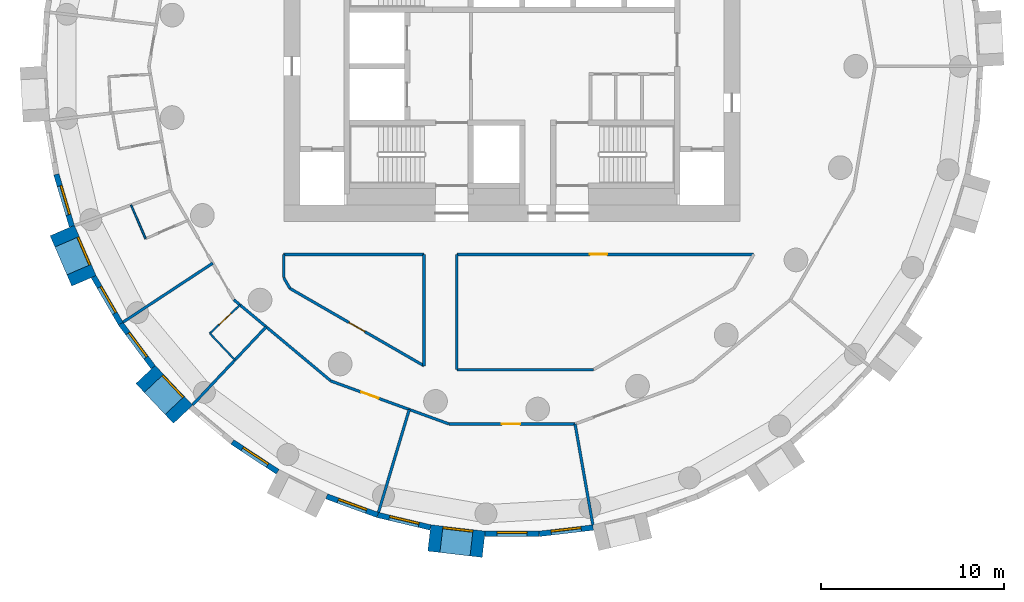
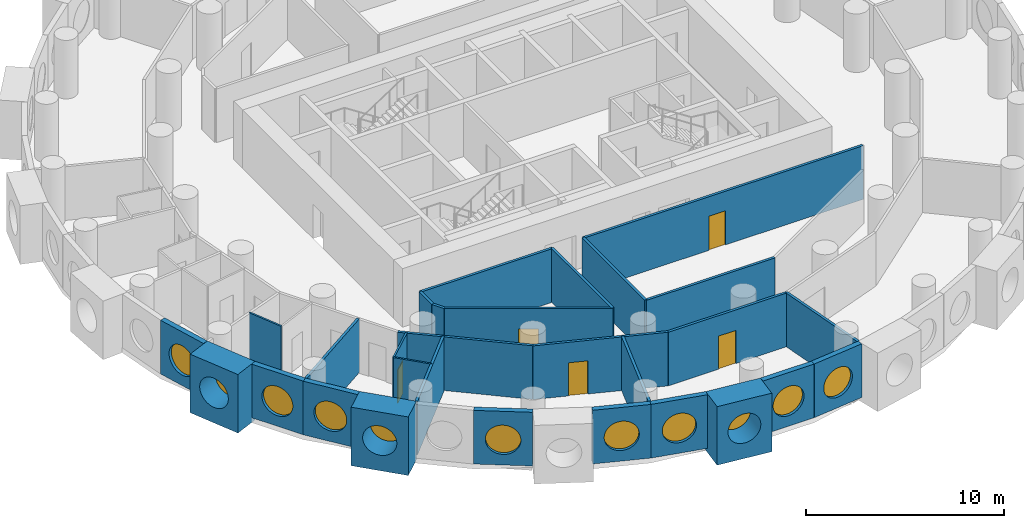
# One storey, part 2 of 9: 29 walls, 11 windows, 5 doors, 16 openings.
"""IFC4 building model written with IfcOpenShell, lengths in metres."""

from ifc_helpers import new_model, si_unit, direction, frame, frame_2d, origin, origin_2d, place, context, subcontext, project, spatial, rectangle, circle, extrude, material, layer, layer_set, type_object, element, fill, save


model = new_model("IFC4")

# Units and contexts
model_context = context("Model", 3, precision=1e-05, world=origin(), true_north=direction((0.0, 1.0)))
body_context = subcontext(model_context, "Body", "Model", "MODEL_VIEW")
ifc_project = project(units=[si_unit("LENGTHUNIT", "METRE"), si_unit("AREAUNIT", "SQUARE_METRE"), si_unit("VOLUMEUNIT", "CUBIC_METRE"), si_unit("PLANEANGLEUNIT", "RADIAN"), si_unit("MASSUNIT", "GRAM", prefix="KILO")], contexts=[model_context])

# Site, building, storey
site_placement = place(None, origin())
site = spatial("IfcSite", under=ifc_project, at=site_placement, CompositionType="ELEMENT")
building_placement = place(site_placement, origin())
building = spatial("IfcBuilding", under=site, at=building_placement, Name="Tracery Tower", CompositionType="ELEMENT")
storey_placement = place(building_placement, frame((0.0, 0.0, 201.60009765625)))
storey = spatial("IfcBuildingStorey", under=building, at=storey_placement, Name="L52", CompositionType="ELEMENT", Elevation=201.60009765625)

# Wall, opening, window
ifc_material_1 = material(Name="Precast concrete C50/60", Category="concrete")
ifc_layer_1 = layer(ifc_material_1, 1.449951171875)
ifc_layer_set_1 = layer_set([ifc_layer_1], Name="Deep-set bay unit 3000 x 3600, slab edge 300")
wall_type_1 = type_object("IfcWallType", Name="Deep-set bay unit 3000 x 3600, slab edge 300", PredefinedType="ELEMENTEDWALL", material=ifc_layer_set_1)
wall_1_placement = place(storey_placement, frame((-24.632080078125, -8.99169921875, -0.300048828125), z_axis=(0.0, 0.0, 1.0), x_axis=(0.396079003245, -0.918216435917, 0.0)))
wall_1 = element("IfcWall", 1, at=wall_1_placement, inside=storey, type_object=wall_type_1, Name="Deep-set bay unit 31 at L52", PredefinedType="ELEMENTEDWALL", context=body_context, shape_type="SweptSolid", body=[
    extrude(rectangle(XDim=3.0, YDim=1.449951171875, at=frame_2d((1.5, 0.0))), origin(), (0.0, 0.0, 1.0), 3.599853515625),
])
opening_1_placement = place(wall_1_placement, frame((1.5, 0.0, 1.85009765625)))
opening_1 = element("IfcOpeningElement", 2, at=opening_1_placement, cuts=wall_1, Name="Opening WN1", PredefinedType="OPENING", context=body_context, shape_type="SweptSolid", body=[
    extrude(circle(Radius=0.9000244140625, at=origin_2d()), frame((0.0, 0.73486328125, 0.0), z_axis=(0.0, -1.0, 0.0), x_axis=(1.0, 0.0, 0.0)), (0.0, 0.0, 1.0), 1.469970703125),
])
ifc_material_2 = material(Name="Aluminium frame with tinted double glazing", Category="aluminium")
window_type = type_object("IfcWindowType", Name="Round window 1800", PartitioningType="SINGLE_PANEL", PredefinedType="WINDOW", material=ifc_material_2)
window_1_placement = place(opening_1_placement, origin())
window_1 = element("IfcWindow", 3, at=window_1_placement, inside=storey, type_object=window_type, Name="Round window 31 at L52", OverallHeight=1.800048828125, OverallWidth=1.800048828125, PartitioningType="SINGLE_PANEL", PredefinedType="WINDOW", context=body_context, shape_type="SweptSolid", body=[
    extrude(circle(Radius=0.9000244140625, at=origin_2d()), frame((0.0, 0.69482421875, 0.0), z_axis=(0.0, -1.0, 0.0), x_axis=(1.0, 0.0, 0.0)), (0.0, 0.0, 1.0), 0.10009765625),
])
fill(opening_1, window_1)

wall_2_placement = place(storey_placement, frame((-20.0712890625, -16.8740234375, -0.300048828125), z_axis=(0.0, 0.0, 1.0), x_axis=(0.686217177108, -0.727396718334, 0.0)))
wall_2 = element("IfcWall", 4, at=wall_2_placement, inside=storey, type_object=wall_type_1, Name="Deep-set bay unit 34 at L52", PredefinedType="ELEMENTEDWALL", context=body_context, shape_type="SweptSolid", body=[
    extrude(rectangle(XDim=3.0, YDim=1.449951171875, at=frame_2d((1.5, 0.0))), origin(), (0.0, 0.0, 1.0), 3.599853515625),
])
opening_2_placement = place(wall_2_placement, frame((1.5, 0.0, 1.85009765625)))
opening_2 = element("IfcOpeningElement", 5, at=opening_2_placement, cuts=wall_2, Name="Opening WN1", PredefinedType="OPENING", context=body_context, shape_type="SweptSolid", body=[
    extrude(circle(Radius=0.9000244140625, at=origin_2d()), frame((0.0, 0.73486328125, 0.0), z_axis=(0.0, -1.0, 0.0), x_axis=(1.0, 0.0, 0.0)), (0.0, 0.0, 1.0), 1.469970703125),
])
window_2_placement = place(opening_2_placement, origin())
window_2 = element("IfcWindow", 6, at=window_2_placement, inside=storey, type_object=window_type, Name="Round window 34 at L52", OverallHeight=1.800048828125, OverallWidth=1.800048828125, PartitioningType="SINGLE_PANEL", PredefinedType="WINDOW", context=body_context, shape_type="SweptSolid", body=[
    extrude(circle(Radius=0.9000244140625, at=origin_2d()), frame((0.0, 0.69482421875, 0.0), z_axis=(0.0, -1.0, 0.0), x_axis=(1.0, 0.0, 0.0)), (0.0, 0.0, 1.0), 0.10009765625),
])
fill(opening_2, window_2)

wall_3_placement = place(storey_placement, frame((-4.529052734375, -25.827880859375, -0.300048828125), z_axis=(0.0, 0.0, 1.0), x_axis=(0.9932342274, -0.116128246006, 0.0)))
wall_3 = element("IfcWall", 7, at=wall_3_placement, inside=storey, type_object=wall_type_1, Name="Deep-set bay unit 40 at L52", PredefinedType="ELEMENTEDWALL", context=body_context, shape_type="SweptSolid", body=[
    extrude(rectangle(XDim=3.0, YDim=1.449951171875, at=frame_2d((1.5, 0.0))), origin(), (0.0, 0.0, 1.0), 3.599853515625),
])
opening_3_placement = place(wall_3_placement, frame((1.5, 0.0, 1.85009765625)))
opening_3 = element("IfcOpeningElement", 8, at=opening_3_placement, cuts=wall_3, Name="Opening WN1", PredefinedType="OPENING", context=body_context, shape_type="SweptSolid", body=[
    extrude(circle(Radius=0.9000244140625, at=origin_2d()), frame((0.0, 0.73486328125, 0.0), z_axis=(0.0, -1.0, 0.0), x_axis=(1.0, 0.0, 0.0)), (0.0, 0.0, 1.0), 1.469970703125),
])
window_3_placement = place(opening_3_placement, origin())
window_3 = element("IfcWindow", 9, at=window_3_placement, inside=storey, type_object=window_type, Name="Round window 40 at L52", OverallHeight=1.800048828125, OverallWidth=1.800048828125, PartitioningType="SINGLE_PANEL", PredefinedType="WINDOW", context=body_context, shape_type="SweptSolid", body=[
    extrude(circle(Radius=0.9000244140625, at=origin_2d()), frame((0.0, 0.69482421875, 0.0), z_axis=(0.0, -1.0, 0.0), x_axis=(1.0, 0.0, 0.0)), (0.0, 0.0, 1.0), 0.10009765625),
])
fill(opening_3, window_3)

ifc_material_3 = material(Name="Precast concrete C50/60", Category="concrete")
ifc_layer_2 = layer(ifc_material_3, 0.300048828125)
ifc_layer_set_2 = layer_set([ifc_layer_2], Name="Facade panel 3000 x 3300")
wall_type_2 = type_object("IfcWallType", Name="Facade panel 3000 x 3300", PredefinedType="SOLIDWALL", material=ifc_layer_set_2)
wall_4_placement = place(storey_placement, frame((-24.9560546875, -5.914794921875, 0.0), z_axis=(0.0, 0.0, 1.0), x_axis=(0.286782750849, -0.957995643944, 0.0)))
wall_4 = element("IfcWall", 10, at=wall_4_placement, inside=storey, type_object=wall_type_2, Name="Facade panel 30 at L52", PredefinedType="SOLIDWALL", context=body_context, shape_type="SweptSolid", body=[
    extrude(rectangle(XDim=2.97265625, YDim=0.300048828125, at=frame_2d((1.486328125, 0.0))), origin(), (0.0, 0.0, 1.0), 3.2998046875),
])
opening_4_placement = place(wall_4_placement, frame((1.486328125, 0.0, 1.5498046875)))
opening_4 = element("IfcOpeningElement", 11, at=opening_4_placement, cuts=wall_4, Name="Opening WN1", PredefinedType="OPENING", context=body_context, shape_type="SweptSolid", body=[
    extrude(circle(Radius=0.9000244140625, at=origin_2d()), frame((0.0, 0.159912109375, 0.0), z_axis=(0.0, -1.0, 0.0), x_axis=(1.0, 0.0, 0.0)), (0.0, 0.0, 1.0), 0.320068359375),
])
window_4_placement = place(opening_4_placement, origin())
window_4 = element("IfcWindow", 12, at=window_4_placement, inside=storey, type_object=window_type, Name="Round window 30 at L52", OverallHeight=1.800048828125, OverallWidth=1.800048828125, PartitioningType="SINGLE_PANEL", PredefinedType="WINDOW", context=body_context, shape_type="SweptSolid", body=[
    extrude(circle(Radius=0.9000244140625, at=origin_2d()), frame((0.0, 0.1201171875, 0.0), z_axis=(0.0, -1.0, 0.0), x_axis=(1.0, 0.0, 0.0)), (0.0, 0.0, 1.0), 0.10009765625),
])
fill(opening_4, window_4)

wall_5_placement = place(storey_placement, frame((-22.91455078125, -11.518798828125, 0.0), z_axis=(0.0, 0.0, 1.0), x_axis=(0.499954672104, -0.866051572276, 0.0)))
wall_5 = element("IfcWall", 13, at=wall_5_placement, inside=storey, type_object=wall_type_2, Name="Facade panel 32 at L52", PredefinedType="SOLIDWALL", context=body_context, shape_type="SweptSolid", body=[
    extrude(rectangle(XDim=2.972900390625, YDim=0.300048828125, at=frame_2d((1.486328125, 0.0))), origin(), (0.0, 0.0, 1.0), 3.2998046875),
])
opening_5_placement = place(wall_5_placement, frame((1.486328125, 0.0, 1.5498046875)))
opening_5 = element("IfcOpeningElement", 14, at=opening_5_placement, cuts=wall_5, Name="Opening WN1", PredefinedType="OPENING", context=body_context, shape_type="SweptSolid", body=[
    extrude(circle(Radius=0.9000244140625, at=origin_2d()), frame((0.0, 0.159912109375, 0.0), z_axis=(0.0, -1.0, 0.0), x_axis=(1.0, 0.0, 0.0)), (0.0, 0.0, 1.0), 0.320068359375),
])
window_5_placement = place(opening_5_placement, origin())
window_5 = element("IfcWindow", 15, at=window_5_placement, inside=storey, type_object=window_type, Name="Round window 32 at L52", OverallHeight=1.800048828125, OverallWidth=1.800048828125, PartitioningType="SINGLE_PANEL", PredefinedType="WINDOW", context=body_context, shape_type="SweptSolid", body=[
    extrude(circle(Radius=0.9000244140625, at=origin_2d()), frame((0.0, 0.1201171875, 0.0), z_axis=(0.0, -1.0, 0.0), x_axis=(1.0, 0.0, 0.0)), (0.0, 0.0, 1.0), 0.10009765625),
])
fill(opening_5, window_5)

wall_6_placement = place(storey_placement, frame((-21.42822265625, -14.093505859375, 0.0), z_axis=(0.0, 0.0, 1.0), x_axis=(0.597197580538, -0.80209416517, 0.0)))
wall_6 = element("IfcWall", 16, at=wall_6_placement, inside=storey, type_object=wall_type_2, Name="Facade panel 33 at L52", PredefinedType="SOLIDWALL", context=body_context, shape_type="SweptSolid", body=[
    extrude(rectangle(XDim=2.972900390625, YDim=0.300048828125, at=frame_2d((1.486328125, 0.0))), origin(), (0.0, 0.0, 1.0), 3.2998046875),
])
opening_6_placement = place(wall_6_placement, frame((1.486328125, 0.0, 1.5498046875)))
opening_6 = element("IfcOpeningElement", 17, at=opening_6_placement, cuts=wall_6, Name="Opening WN1", PredefinedType="OPENING", context=body_context, shape_type="SweptSolid", body=[
    extrude(circle(Radius=0.9000244140625, at=origin_2d()), frame((0.0, 0.159912109375, 0.0), z_axis=(0.0, -1.0, 0.0), x_axis=(1.0, 0.0, 0.0)), (0.0, 0.0, 1.0), 0.320068359375),
])
window_6_placement = place(opening_6_placement, origin())
window_6 = element("IfcWindow", 18, at=window_6_placement, inside=storey, type_object=window_type, Name="Round window 33 at L52", OverallHeight=1.800048828125, OverallWidth=1.800048828125, PartitioningType="SINGLE_PANEL", PredefinedType="WINDOW", context=body_context, shape_type="SweptSolid", body=[
    extrude(circle(Radius=0.9000244140625, at=origin_2d()), frame((0.0, 0.1201171875, 0.0), z_axis=(0.0, -1.0, 0.0), x_axis=(1.0, 0.0, 0.0)), (0.0, 0.0, 1.0), 0.10009765625),
])
fill(opening_6, window_6)

wall_7_placement = place(storey_placement, frame((-15.315673828125, -20.572509765625, 0.0), z_axis=(0.0, 0.0, 1.0), x_axis=(0.835508361394, -0.54947773207, 0.0)))
wall_7 = element("IfcWall", 19, at=wall_7_placement, inside=storey, type_object=wall_type_2, Name="Facade panel 36 at L52", PredefinedType="SOLIDWALL", context=body_context, shape_type="SweptSolid", body=[
    extrude(rectangle(XDim=2.972900390625, YDim=0.300048828125, at=frame_2d((1.486328125, 0.0))), origin(), (0.0, 0.0, 1.0), 3.2998046875),
])
opening_7_placement = place(wall_7_placement, frame((1.486328125, 0.0, 1.5498046875)))
opening_7 = element("IfcOpeningElement", 20, at=opening_7_placement, cuts=wall_7, Name="Opening WN1", PredefinedType="OPENING", context=body_context, shape_type="SweptSolid", body=[
    extrude(circle(Radius=0.9000244140625, at=origin_2d()), frame((0.0, 0.159912109375, 0.0), z_axis=(0.0, -1.0, 0.0), x_axis=(1.0, 0.0, 0.0)), (0.0, 0.0, 1.0), 0.320068359375),
])
window_7_placement = place(opening_7_placement, origin())
window_7 = element("IfcWindow", 21, at=window_7_placement, inside=storey, type_object=window_type, Name="Round window 36 at L52", OverallHeight=1.800048828125, OverallWidth=1.800048828125, PartitioningType="SINGLE_PANEL", PredefinedType="WINDOW", context=body_context, shape_type="SweptSolid", body=[
    extrude(circle(Radius=0.9000244140625, at=origin_2d()), frame((0.0, 0.1201171875, 0.0), z_axis=(0.0, -1.0, 0.0), x_axis=(1.0, 0.0, 0.0)), (0.0, 0.0, 1.0), 0.10009765625),
])
fill(opening_7, window_7)

wall_8_placement = place(storey_placement, frame((-10.1494140625, -23.55322265625, 0.0), z_axis=(0.0, 0.0, 1.0), x_axis=(0.939690282133, -0.342026568652, 0.0)))
wall_8 = element("IfcWall", 22, at=wall_8_placement, inside=storey, type_object=wall_type_2, Name="Facade panel 38 at L52", PredefinedType="SOLIDWALL", context=body_context, shape_type="SweptSolid", body=[
    extrude(rectangle(XDim=2.972900390625, YDim=0.300048828125, at=frame_2d((1.486328125, 0.0))), origin(), (0.0, 0.0, 1.0), 3.2998046875),
])
opening_8_placement = place(wall_8_placement, frame((1.486328125, 0.0, 1.5498046875)))
opening_8 = element("IfcOpeningElement", 23, at=opening_8_placement, cuts=wall_8, Name="Opening WN1", PredefinedType="OPENING", context=body_context, shape_type="SweptSolid", body=[
    extrude(circle(Radius=0.9000244140625, at=origin_2d()), frame((0.0, 0.159912109375, 0.0), z_axis=(0.0, -1.0, 0.0), x_axis=(1.0, 0.0, 0.0)), (0.0, 0.0, 1.0), 0.320068359375),
])
window_8_placement = place(opening_8_placement, origin())
window_8 = element("IfcWindow", 24, at=window_8_placement, inside=storey, type_object=window_type, Name="Round window 38 at L52", OverallHeight=1.800048828125, OverallWidth=1.800048828125, PartitioningType="SINGLE_PANEL", PredefinedType="WINDOW", context=body_context, shape_type="SweptSolid", body=[
    extrude(circle(Radius=0.9000244140625, at=origin_2d()), frame((0.0, 0.1201171875, 0.0), z_axis=(0.0, -1.0, 0.0), x_axis=(1.0, 0.0, 0.0)), (0.0, 0.0, 1.0), 0.10009765625),
])
fill(opening_8, window_8)

wall_9_placement = place(storey_placement, frame((-7.355712890625, -24.570068359375, 0.0), z_axis=(0.0, 0.0, 1.0), x_axis=(0.973045378923, -0.230613725862, 0.0)))
wall_9 = element("IfcWall", 25, at=wall_9_placement, inside=storey, type_object=wall_type_2, Name="Facade panel 39 at L52", PredefinedType="SOLIDWALL", context=body_context, shape_type="SweptSolid", body=[
    extrude(rectangle(XDim=2.97265625, YDim=0.300048828125, at=frame_2d((1.486328125, 0.0))), origin(), (0.0, 0.0, 1.0), 3.2998046875),
])
opening_9_placement = place(wall_9_placement, frame((1.486328125, 0.0, 1.5498046875)))
opening_9 = element("IfcOpeningElement", 26, at=opening_9_placement, cuts=wall_9, Name="Opening WN1", PredefinedType="OPENING", context=body_context, shape_type="SweptSolid", body=[
    extrude(circle(Radius=0.9000244140625, at=origin_2d()), frame((0.0, 0.159912109375, 0.0), z_axis=(0.0, -1.0, 0.0), x_axis=(1.0, 0.0, 0.0)), (0.0, 0.0, 1.0), 0.320068359375),
])
window_9_placement = place(opening_9_placement, origin())
window_9 = element("IfcWindow", 27, at=window_9_placement, inside=storey, type_object=window_type, Name="Round window 39 at L52", OverallHeight=1.800048828125, OverallWidth=1.800048828125, PartitioningType="SINGLE_PANEL", PredefinedType="WINDOW", context=body_context, shape_type="SweptSolid", body=[
    extrude(circle(Radius=0.9000244140625, at=origin_2d()), frame((0.0, 0.1201171875, 0.0), z_axis=(0.0, -1.0, 0.0), x_axis=(1.0, 0.0, 0.0)), (0.0, 0.0, 1.0), 0.10009765625),
])
fill(opening_9, window_9)

wall_10_placement = place(storey_placement, frame((-1.481689453125, -25.60400390625, 0.0), z_axis=(0.0, 0.0, 1.0), x_axis=(1.0, 0.0, 0.0)))
wall_10 = element("IfcWall", 28, at=wall_10_placement, inside=storey, type_object=wall_type_2, Name="Facade panel 41 at L52", PredefinedType="SOLIDWALL", context=body_context, shape_type="SweptSolid", body=[
    extrude(rectangle(XDim=2.972900390625, YDim=0.300048828125, at=frame_2d((1.486328125, 0.0))), origin(), (0.0, 0.0, 1.0), 3.2998046875),
])
opening_10_placement = place(wall_10_placement, frame((1.486328125, 0.0, 1.5498046875)))
opening_10 = element("IfcOpeningElement", 29, at=opening_10_placement, cuts=wall_10, Name="Opening WN1", PredefinedType="OPENING", context=body_context, shape_type="SweptSolid", body=[
    extrude(circle(Radius=0.9000244140625, at=origin_2d()), frame((0.0, 0.159912109375, 0.0), z_axis=(0.0, -1.0, 0.0), x_axis=(1.0, 0.0, 0.0)), (0.0, 0.0, 1.0), 0.320068359375),
])
window_10_placement = place(opening_10_placement, origin())
window_10 = element("IfcWindow", 30, at=window_10_placement, inside=storey, type_object=window_type, Name="Round window 41 at L52", OverallHeight=1.800048828125, OverallWidth=1.800048828125, PartitioningType="SINGLE_PANEL", PredefinedType="WINDOW", context=body_context, shape_type="SweptSolid", body=[
    extrude(circle(Radius=0.9000244140625, at=origin_2d()), frame((0.0, 0.1201171875, 0.0), z_axis=(0.0, -1.0, 0.0), x_axis=(1.0, 0.0, 0.0)), (0.0, 0.0, 1.0), 0.10009765625),
])
fill(opening_10, window_10)

wall_11_placement = place(storey_placement, frame((1.4912109375, -25.60400390625, 0.0), z_axis=(0.0, 0.0, 1.0), x_axis=(0.993245010522, 0.1160359818, 0.0)))
wall_11 = element("IfcWall", 31, at=wall_11_placement, inside=storey, type_object=wall_type_2, Name="Facade panel 42 at L52", PredefinedType="SOLIDWALL", context=body_context, shape_type="SweptSolid", body=[
    extrude(rectangle(XDim=2.972900390625, YDim=0.300048828125, at=frame_2d((1.486328125, 0.0))), origin(), (0.0, 0.0, 1.0), 3.2998046875),
])
opening_11_placement = place(wall_11_placement, frame((1.486328125, 0.0, 1.5498046875)))
opening_11 = element("IfcOpeningElement", 32, at=opening_11_placement, cuts=wall_11, Name="Opening WN1", PredefinedType="OPENING", context=body_context, shape_type="SweptSolid", body=[
    extrude(circle(Radius=0.9000244140625, at=origin_2d()), frame((0.0, 0.159912109375, 0.0), z_axis=(0.0, -1.0, 0.0), x_axis=(1.0, 0.0, 0.0)), (0.0, 0.0, 1.0), 0.320068359375),
])
window_11_placement = place(opening_11_placement, origin())
window_11 = element("IfcWindow", 33, at=window_11_placement, inside=storey, type_object=window_type, Name="Round window 42 at L52", OverallHeight=1.800048828125, OverallWidth=1.800048828125, PartitioningType="SINGLE_PANEL", PredefinedType="WINDOW", context=body_context, shape_type="SweptSolid", body=[
    extrude(circle(Radius=0.9000244140625, at=origin_2d()), frame((0.0, 0.1201171875, 0.0), z_axis=(0.0, -1.0, 0.0), x_axis=(1.0, 0.0, 0.0)), (0.0, 0.0, 1.0), 0.10009765625),
])
fill(opening_11, window_11)

# Wall
ifc_material_4 = material(Name="Plasterboard on steel studs", Category="steel")
ifc_layer_3 = layer(ifc_material_4, 0.10009765625)
ifc_layer_set_3 = layer_set([ifc_layer_3], Name="Partition 100 wet wall")
wall_type_3 = type_object("IfcWallType", Name="Partition 100 wet wall", PredefinedType="PARTITIONING", material=ifc_layer_set_3)
wall_12_placement = place(storey_placement, frame((-20.862060546875, -7.593017578125, 0.0), z_axis=(0.0, 0.0, 1.0), x_axis=(0.395972527348, -0.918262357709, 0.0)))
element("IfcWall", 34, at=wall_12_placement, inside=storey, type_object=wall_type_3, Name="Wet wall RB8-055", PredefinedType="PARTITIONING", context=body_context, shape_type="SweptSolid", body=[
    extrude(rectangle(XDim=2.008056640625, YDim=0.10009765625, at=frame_2d((1.00390625, 0.0))), origin(), (0.0, 0.0, 1.0), 3.2998046875),
])

# Wall, opening, door
wall_13_placement = place(storey_placement, frame((-16.549072265625, -14.6259765625, 0.0), z_axis=(0.0, 0.0, 1.0), x_axis=(0.727754926423, 0.68583727448, 0.0)))
wall_13 = element("IfcWall", 35, at=wall_13_placement, inside=storey, type_object=wall_type_3, Name="Wet wall RB8-058", PredefinedType="PARTITIONING", context=body_context, shape_type="SweptSolid", body=[
    extrude(rectangle(XDim=2.271484375, YDim=0.10009765625, at=frame_2d((1.1357421875, 0.0))), origin(), (0.0, 0.0, 1.0), 3.2998046875),
])
opening_12_placement = place(wall_13_placement, frame((0.685546875, 0.0, 0.0)))
opening_12 = element("IfcOpeningElement", 36, at=opening_12_placement, cuts=wall_13, Name="Opening RB8-17", PredefinedType="OPENING", context=body_context, shape_type="SweptSolid", body=[
    extrude(rectangle(XDim=0.89990234375, YDim=2.0400390625, at=frame_2d((0.449951171875, 1.02001953125))), frame((0.0, 0.050048828125, 0.0), z_axis=(0.0, -1.0, 0.0), x_axis=(1.0, 0.0, 0.0)), (0.0, 0.0, 1.0), 0.10009765625),
])
ifc_material_5 = material(Name="Timber door leaf", Category="wood")
door_type_1 = type_object("IfcDoorType", Name="Door en-suite 900", OperationType="NOTDEFINED", PredefinedType="DOOR", material=ifc_material_5)
door_1_placement = place(opening_12_placement, origin())
door_1 = element("IfcDoor", 37, at=door_1_placement, inside=storey, type_object=door_type_1, Name="En-suite door RB8-17", OperationType="SINGLE_SWING_RIGHT", OverallHeight=2.0400390625, OverallWidth=0.89990234375, PredefinedType="DOOR", context=body_context, shape_type="SweptSolid", body=[
    extrude(rectangle(XDim=0.89990234375, YDim=2.0400390625, at=frame_2d((0.449951171875, 1.02001953125))), frame((0.0, 0.02490234375, 0.0), z_axis=(0.0, -1.0, 0.0), x_axis=(1.0, 0.0, 0.0)), (0.0, 0.0, 1.0), 0.050048828125),
])
fill(opening_12, door_1)

# Walls
wall_14_placement = place(storey_placement, frame((-16.549072265625, -14.6259765625, 0.0), z_axis=(0.0, 0.0, 1.0), x_axis=(0.686337209023, -0.727283462971, 0.0)))
element("IfcWall", 38, at=wall_14_placement, inside=storey, type_object=wall_type_3, Name="Wet wall RB8-059", PredefinedType="PARTITIONING", context=body_context, shape_type="SweptSolid", body=[
    extrude(rectangle(XDim=2.00341796875, YDim=0.10009765625, at=frame_2d((1.001708984375, 0.0))), origin(), (0.0, 0.0, 1.0), 3.2998046875),
])
ifc_material_6 = material(Name="Plasterboard on steel studs", Category="steel")
ifc_layer_4 = layer(ifc_material_6, 0.14990234375)
ifc_layer_set_4 = layer_set([ifc_layer_4], Name="Partition 150 acoustic unit wall")
wall_type_4 = type_object("IfcWallType", Name="Partition 150 acoustic unit wall", PredefinedType="PARTITIONING", material=ifc_layer_set_4)
wall_15_placement = place(storey_placement, frame((-21.302978515625, -14.010986328125, 0.0), z_axis=(0.0, 0.0, 1.0), x_axis=(0.835534987945, 0.54943724293, 0.0)))
element("IfcWall", 39, at=wall_15_placement, inside=storey, type_object=wall_type_4, Name="Unit wall RB8-057", PredefinedType="PARTITIONING", context=body_context, shape_type="SweptSolid", body=[
    extrude(rectangle(XDim=5.878662109375, YDim=0.14990234375, at=frame_2d((2.939453125, 0.0))), origin(), (0.0, 0.0, 1.0), 3.2998046875),
])
wall_16_placement = place(storey_placement, frame((-17.4970703125, -18.5458984375, 0.0), z_axis=(0.0, 0.0, 1.0), x_axis=(0.68614289064, 0.727466792111, 0.0)))
element("IfcWall", 40, at=wall_16_placement, inside=storey, type_object=wall_type_4, Name="Unit wall RB8-060", PredefinedType="PARTITIONING", context=body_context, shape_type="SweptSolid", body=[
    extrude(rectangle(XDim=5.87841796875, YDim=0.14990234375, at=frame_2d((2.939208984375, 0.0))), origin(), (0.0, 0.0, 1.0), 3.2998046875),
])
wall_17_placement = place(storey_placement, frame((-7.31298828125, -24.426025390625, 0.0), z_axis=(0.0, 0.0, 1.0), x_axis=(0.286833432865, 0.957980470464, 0.0)))
element("IfcWall", 41, at=wall_17_placement, inside=storey, type_object=wall_type_4, Name="Unit wall RB8-061", PredefinedType="PARTITIONING", context=body_context, shape_type="SweptSolid", body=[
    extrude(rectangle(XDim=5.878173828125, YDim=0.14990234375, at=frame_2d((2.93896484375, 0.0))), origin(), (0.0, 0.0, 1.0), 3.2998046875),
])
wall_18_placement = place(storey_placement, frame((3.452880859375, -19.5859375, 0.0), z_axis=(0.0, 0.0, 1.0), x_axis=(0.17382754149, -0.984776109489, 0.0)))
element("IfcWall", 42, at=wall_18_placement, inside=storey, type_object=wall_type_4, Name="Unit wall RB8-062", PredefinedType="PARTITIONING", context=body_context, shape_type="SweptSolid", body=[
    extrude(rectangle(XDim=5.609619140625, YDim=0.14990234375, at=frame_2d((2.8046875, 0.0))), origin(), (0.0, 0.0, 1.0), 3.2998046875),
])
ifc_material_7 = material(Name="Plasterboard on steel studs", Category="steel")
ifc_layer_5 = layer(ifc_material_7, 0.14990234375)
ifc_layer_set_5 = layer_set([ifc_layer_5], Name="Partition 150 corridor wall")
wall_type_5 = type_object("IfcWallType", Name="Partition 150 corridor wall", PredefinedType="PARTITIONING", material=ifc_layer_set_5)
wall_19_placement = place(storey_placement, frame((-12.50390625, -10.300048828125, 0.0), z_axis=(0.0, 0.0, 1.0), x_axis=(1.0, 0.0, 0.0)))
element("IfcWall", 43, at=wall_19_placement, inside=storey, type_object=wall_type_5, Name="Corridor wall RB8-003", PredefinedType="PARTITIONING", context=body_context, shape_type="SweptSolid", body=[
    extrude(rectangle(XDim=7.68701171875, YDim=0.14990234375, at=frame_2d((3.843505859375, 0.0))), origin(), (0.0, 0.0, 1.0), 3.2998046875),
])

# Wall, opening, door
wall_20_placement = place(storey_placement, frame((-3.02490234375, -10.300048828125, 0.0), z_axis=(0.0, 0.0, 1.0), x_axis=(1.0, 0.0, 0.0)))
wall_20 = element("IfcWall", 44, at=wall_20_placement, inside=storey, type_object=wall_type_5, Name="Corridor wall RB8-004", PredefinedType="PARTITIONING", context=body_context, shape_type="SweptSolid", body=[
    extrude(rectangle(XDim=16.261962890625, YDim=0.14990234375, at=frame_2d((8.130859375, 0.0))), origin(), (0.0, 0.0, 1.0), 3.2998046875),
])
opening_13_placement = place(wall_20_placement, frame((7.287109375, 0.0, 0.0)))
opening_13 = element("IfcOpeningElement", 45, at=opening_13_placement, cuts=wall_20, Name="Opening RB8-04", PredefinedType="OPENING", context=body_context, shape_type="SweptSolid", body=[
    extrude(rectangle(XDim=0.949951171875, YDim=2.10009765625, at=frame_2d((0.47509765625, 1.050048828125))), frame((0.0, 0.074951171875, 0.0), z_axis=(0.0, -1.0, 0.0), x_axis=(1.0, 0.0, 0.0)), (0.0, 0.0, 1.0), 0.14990234375),
])
ifc_material_8 = material(Name="Timber door leaf", Category="wood")
door_type_2 = type_object("IfcDoorType", Name="Door store 950", OperationType="NOTDEFINED", PredefinedType="DOOR", material=ifc_material_8)
door_2_placement = place(opening_13_placement, origin())
door_2 = element("IfcDoor", 46, at=door_2_placement, inside=storey, type_object=door_type_2, Name="Store door RB8-04", OperationType="SINGLE_SWING_RIGHT", OverallHeight=2.10009765625, OverallWidth=0.949951171875, PredefinedType="DOOR", context=body_context, shape_type="SweptSolid", body=[
    extrude(rectangle(XDim=0.949951171875, YDim=2.10009765625, at=frame_2d((0.47509765625, 1.050048828125))), frame((0.0, 0.02490234375, 0.0), z_axis=(0.0, -1.0, 0.0), x_axis=(1.0, 0.0, 0.0)), (0.0, 0.0, 1.0), 0.050048828125),
])
fill(opening_13, door_2)

# Walls
wall_21_placement = place(storey_placement, frame((-12.5, -11.576904296875, 0.0), z_axis=(0.0, 0.0, 1.0), x_axis=(0.0, 1.0, 0.0)))
element("IfcWall", 47, at=wall_21_placement, inside=storey, type_object=wall_type_5, Name="Corridor wall RB8-024", PredefinedType="PARTITIONING", context=body_context, shape_type="SweptSolid", body=[
    extrude(rectangle(XDim=1.27685546875, YDim=0.14990234375, at=frame_2d((0.638427734375, 0.0))), origin(), (0.0, 0.0, 1.0), 3.2998046875),
])
wall_22_placement = place(storey_placement, frame((-12.5, -11.576904296875, 0.0), z_axis=(0.0, 0.0, 1.0), x_axis=(0.500024767483, -0.866011103799, 0.0)))
element("IfcWall", 48, at=wall_22_placement, inside=storey, type_object=wall_type_5, Name="Corridor wall RB8-025", PredefinedType="PARTITIONING", context=body_context, shape_type="SweptSolid", body=[
    extrude(rectangle(XDim=0.67578125, YDim=0.14990234375, at=frame_2d((0.337890625, 0.0))), origin(), (0.0, 0.0, 1.0), 3.2998046875),
])
wall_23_placement = place(storey_placement, frame((-15.235107421875, -12.783935546875, 0.0), z_axis=(0.0, 0.0, 1.0), x_axis=(0.767110396068, -0.641515113029, 0.0)))
element("IfcWall", 49, at=wall_23_placement, inside=storey, type_object=wall_type_5, Name="Corridor wall RB8-031", PredefinedType="PARTITIONING", context=body_context, shape_type="SweptSolid", body=[
    extrude(rectangle(XDim=6.906494140625, YDim=0.14990234375, at=frame_2d((3.453125, 0.0))), origin(), (0.0, 0.0, 1.0), 3.2998046875),
])

# Wall, opening, door
wall_24_placement = place(storey_placement, frame((-12.162109375, -12.162109375, 0.0), z_axis=(0.0, 0.0, 1.0), x_axis=(0.866004766557, -0.500035743023, 0.0)))
wall_24 = element("IfcWall", 50, at=wall_24_placement, inside=storey, type_object=wall_type_5, Name="Corridor wall RB8-032", PredefinedType="PARTITIONING", context=body_context, shape_type="SweptSolid", body=[
    extrude(rectangle(XDim=8.47705078125, YDim=0.14990234375, at=frame_2d((4.238525390625, 0.0))), origin(), (0.0, 0.0, 1.0), 3.2998046875),
])
opening_14_placement = place(wall_24_placement, frame((3.738037109375, 0.0, 0.0)))
opening_14 = element("IfcOpeningElement", 51, at=opening_14_placement, cuts=wall_24, Name="Opening RB8-03", PredefinedType="OPENING", context=body_context, shape_type="SweptSolid", body=[
    extrude(rectangle(XDim=1.0, YDim=2.0400390625, at=frame_2d((0.5, 1.02001953125))), frame((0.0, 0.074951171875, 0.0), z_axis=(0.0, -1.0, 0.0), x_axis=(1.0, 0.0, 0.0)), (0.0, 0.0, 1.0), 0.14990234375),
])
ifc_material_9 = material(Name="Timber door leaf", Category="wood")
door_type_3 = type_object("IfcDoorType", Name="Door communal room 1000", OperationType="NOTDEFINED", PredefinedType="DOOR", material=ifc_material_9)
door_3_placement = place(opening_14_placement, origin())
door_3 = element("IfcDoor", 52, at=door_3_placement, inside=storey, type_object=door_type_3, Name="Communal room door RB8-03", OperationType="SINGLE_SWING_LEFT", OverallHeight=2.0400390625, OverallWidth=1.0, PredefinedType="DOOR", context=body_context, shape_type="SweptSolid", body=[
    extrude(rectangle(XDim=1.0, YDim=2.0400390625, at=frame_2d((0.5, 1.02001953125))), frame((0.0, 0.02490234375, 0.0), z_axis=(0.0, -1.0, 0.0), x_axis=(1.0, 0.0, 0.0)), (0.0, 0.0, 1.0), 0.050048828125),
])
fill(opening_14, door_3)

# Walls
wall_25_placement = place(storey_placement, frame((-4.821044921875, -16.40087890625, 0.0), z_axis=(0.0, 0.0, 1.0), x_axis=(0.0, 1.0, 0.0)))
element("IfcWall", 53, at=wall_25_placement, inside=storey, type_object=wall_type_5, Name="Corridor wall RB8-033", PredefinedType="PARTITIONING", context=body_context, shape_type="SweptSolid", body=[
    extrude(rectangle(XDim=6.100830078125, YDim=0.14990234375, at=frame_2d((3.05029296875, 0.0))), origin(), (0.0, 0.0, 1.0), 3.2998046875),
])
wall_26_placement = place(storey_placement, frame((-3.02099609375, -16.614013671875, 0.0), z_axis=(0.0, 0.0, 1.0), x_axis=(0.0, 1.0, 0.0)))
element("IfcWall", 54, at=wall_26_placement, inside=storey, type_object=wall_type_5, Name="Corridor wall RB8-034", PredefinedType="PARTITIONING", context=body_context, shape_type="SweptSolid", body=[
    extrude(rectangle(XDim=6.31396484375, YDim=0.14990234375, at=frame_2d((3.156982421875, 0.0))), origin(), (0.0, 0.0, 1.0), 3.2998046875),
])
wall_27_placement = place(storey_placement, frame((-3.02099609375, -16.614013671875, 0.0), z_axis=(0.0, 0.0, 1.0), x_axis=(1.0, 0.0, 0.0)))
element("IfcWall", 55, at=wall_27_placement, inside=storey, type_object=wall_type_5, Name="Corridor wall RB8-035", PredefinedType="PARTITIONING", context=body_context, shape_type="SweptSolid", body=[
    extrude(rectangle(XDim=7.472900390625, YDim=0.14990234375, at=frame_2d((3.736328125, 0.0))), origin(), (0.0, 0.0, 1.0), 3.2998046875),
])

# Wall, opening, door
wall_28_placement = place(storey_placement, frame((-9.944091796875, -17.222900390625, 0.0), z_axis=(0.0, 0.0, 1.0), x_axis=(0.939672634566, -0.342075050021, 0.0)))
wall_28 = element("IfcWall", 56, at=wall_28_placement, inside=storey, type_object=wall_type_5, Name="Corridor wall RB8-037", PredefinedType="PARTITIONING", context=body_context, shape_type="SweptSolid", body=[
    extrude(rectangle(XDim=6.907958984375, YDim=0.14990234375, at=frame_2d((3.4541015625, 0.0))), origin(), (0.0, 0.0, 1.0), 3.2998046875),
])
opening_15_placement = place(wall_28_placement, frame((1.79931640625, 0.0, 0.0)))
opening_15 = element("IfcOpeningElement", 57, at=opening_15_placement, cuts=wall_28, Name="Opening RB8-19", PredefinedType="OPENING", context=body_context, shape_type="SweptSolid", body=[
    extrude(rectangle(XDim=1.0, YDim=2.0400390625, at=frame_2d((0.5, 1.02001953125))), frame((0.0, 0.074951171875, 0.0), z_axis=(0.0, -1.0, 0.0), x_axis=(1.0, 0.0, 0.0)), (0.0, 0.0, 1.0), 0.14990234375),
])
door_4_placement = place(opening_15_placement, origin())
door_4 = element("IfcDoor", 58, at=door_4_placement, inside=storey, type_object=door_type_3, Name="Communal room door RB8-19", OperationType="SINGLE_SWING_LEFT", OverallHeight=2.0400390625, OverallWidth=1.0, PredefinedType="DOOR", context=body_context, shape_type="SweptSolid", body=[
    extrude(rectangle(XDim=1.0, YDim=2.0400390625, at=frame_2d((0.5, 1.02001953125))), frame((0.0, 0.02490234375, 0.0), z_axis=(0.0, -1.0, 0.0), x_axis=(1.0, 0.0, 0.0)), (0.0, 0.0, 1.0), 0.050048828125),
])
fill(opening_15, door_4)

wall_29_placement = place(storey_placement, frame((-3.452880859375, -19.5859375, 0.0), z_axis=(0.0, 0.0, 1.0), x_axis=(1.0, 0.0, 0.0)))
wall_29 = element("IfcWall", 59, at=wall_29_placement, inside=storey, type_object=wall_type_5, Name="Corridor wall RB8-038", PredefinedType="PARTITIONING", context=body_context, shape_type="SweptSolid", body=[
    extrude(rectangle(XDim=6.90576171875, YDim=0.14990234375, at=frame_2d((3.452880859375, 0.0))), origin(), (0.0, 0.0, 1.0), 3.2998046875),
])
opening_16_placement = place(wall_29_placement, frame((2.903076171875, 0.0, 0.0)))
opening_16 = element("IfcOpeningElement", 60, at=opening_16_placement, cuts=wall_29, Name="Opening RB8-20", PredefinedType="OPENING", context=body_context, shape_type="SweptSolid", body=[
    extrude(rectangle(XDim=1.0, YDim=2.0400390625, at=frame_2d((0.5, 1.02001953125))), frame((0.0, 0.074951171875, 0.0), z_axis=(0.0, -1.0, 0.0), x_axis=(1.0, 0.0, 0.0)), (0.0, 0.0, 1.0), 0.14990234375),
])
door_5_placement = place(opening_16_placement, origin())
door_5 = element("IfcDoor", 61, at=door_5_placement, inside=storey, type_object=door_type_3, Name="Communal room door RB8-20", OperationType="SINGLE_SWING_RIGHT", OverallHeight=2.0400390625, OverallWidth=1.0, PredefinedType="DOOR", context=body_context, shape_type="SweptSolid", body=[
    extrude(rectangle(XDim=1.0, YDim=2.0400390625, at=frame_2d((0.5, 1.02001953125))), frame((0.0, 0.02490234375, 0.0), z_axis=(0.0, -1.0, 0.0), x_axis=(1.0, 0.0, 0.0)), (0.0, 0.0, 1.0), 0.050048828125),
])
fill(opening_16, door_5)

save(model, "model.ifc")
